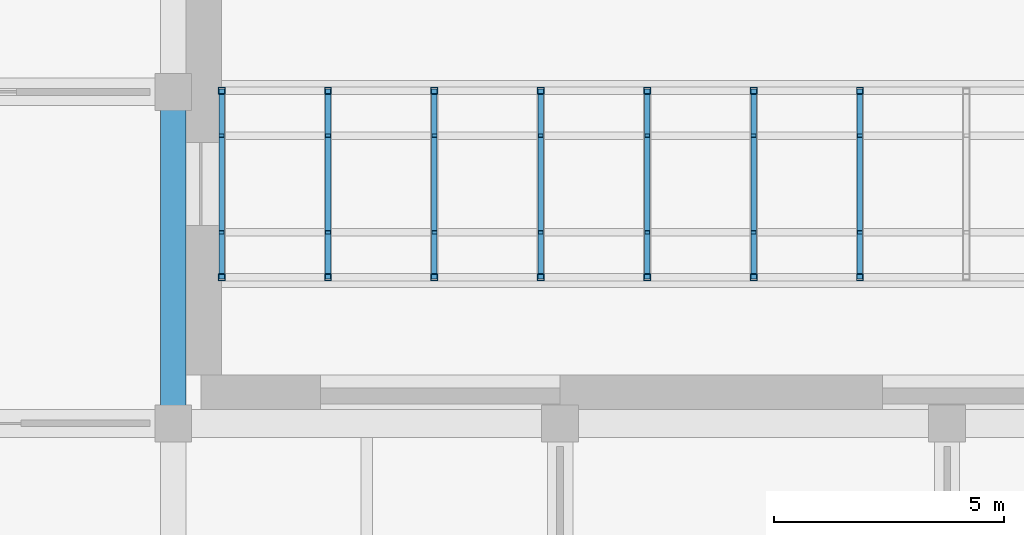
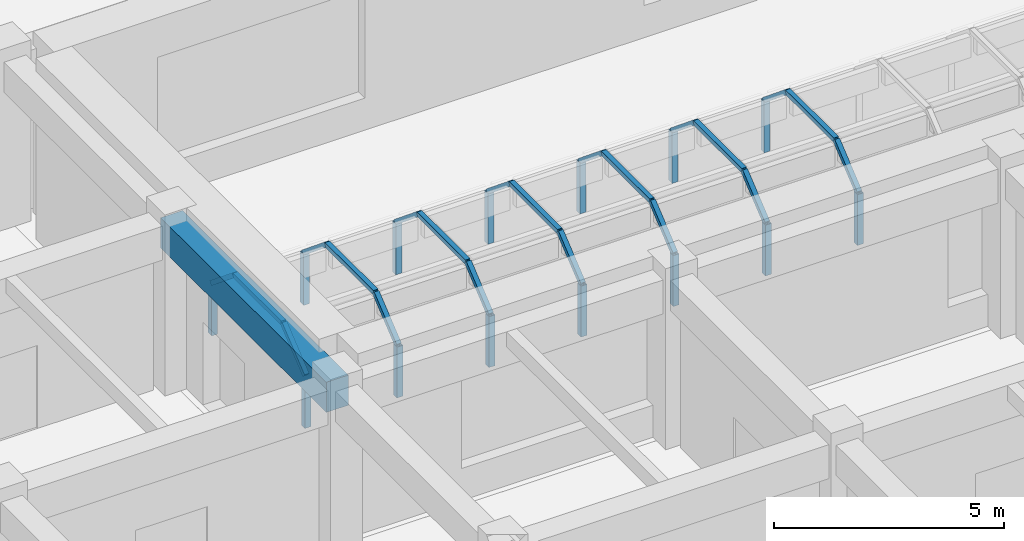
# One storey, part 8 of 32: 35 members, 1 beam.
"""IFC4 building model written with IfcOpenShell, lengths in metres."""

from ifc_helpers import new_model, si_unit, derived_unit, direction, frame, origin, origin_2d, place, context, subcontext, project, spatial, rectangle, hollow_rectangle, extrude, material, material_profile, profile_set, type_object, element, save


model = new_model("IFC4")

# Units and contexts
model_context = context("Model", 3, precision=1e-05, world=origin(), true_north=direction((0.0, 1.0)))
body_context = subcontext(model_context, "Body", "Model", "MODEL_VIEW")
ifc_project = project(units=[si_unit("LENGTHUNIT", "METRE"), si_unit("AREAUNIT", "SQUARE_METRE"), si_unit("VOLUMEUNIT", "CUBIC_METRE"), si_unit("PLANEANGLEUNIT", "RADIAN"), si_unit("MASSUNIT", "GRAM", prefix="KILO"), derived_unit("THERMALTRANSMITTANCEUNIT", [(si_unit("MASSUNIT", "GRAM", prefix="KILO"), 1), (si_unit("TIMEUNIT", "SECOND"), -3), (si_unit("THERMODYNAMICTEMPERATUREUNIT", "KELVIN"), -1)])], contexts=[model_context])

# Site, building, storey
site_placement = place(None, origin())
site = spatial("IfcSite", under=ifc_project, at=site_placement, CompositionType="ELEMENT")
building_placement = place(site_placement, origin())
building = spatial("IfcBuilding", under=site, at=building_placement, Name="Veldstrom Oceanarium and Marine Research Institute", CompositionType="ELEMENT")
storey_placement = place(building_placement, frame((0.0, 0.0, -4.800048828125)))
storey = spatial("IfcBuildingStorey", under=building, at=storey_placement, Name="B01", CompositionType="ELEMENT", Elevation=-4.800048828125)

# Beam
ifc_material_1 = material(Name="Concrete C40/50", Category="concrete")
ifc_material_profile_1 = material_profile(ifc_material_1, rectangle(XDim=0.550048828125, YDim=0.800048828125, at=origin_2d()), Name="RC-BM-550x800")
ifc_profile_set_1 = profile_set([ifc_material_profile_1], Name="Concrete C40/50")
beam_type = type_object("IfcBeamType", Name="STR-BM-B02", PredefinedType="BEAM", material=ifc_profile_set_1)
beam_placement = place(storey_placement, frame((16.800048828125, 21.60009765625, 4.045166015625), z_axis=(0.0, 1.0, 0.0), x_axis=(-1.0, 0.0, 0.0)))
element("IfcBeam", 1, at=beam_placement, inside=storey, type_object=beam_type, Name="Primary Beam B02 B01-0514", PredefinedType="BEAM", context=body_context, shape_type="SweptSolid", body=[
    extrude(rectangle(XDim=0.550048828125, YDim=0.800048828125, at=origin_2d()), origin(), (0.0, 0.0, 1.0), 7.199951171875),
])

# Members
ifc_material_2 = material(Name="Steel S355JR", Category="steel")
ifc_material_profile_2 = material_profile(ifc_material_2, hollow_rectangle(XDim=0.14990234375, YDim=0.14990234375, WallThickness=0.010009765625, at=origin_2d()), Name="SHS 150x150x10")
ifc_profile_set_2 = profile_set([ifc_material_profile_2], Name="Steel S355JR")
member_type_1 = type_object("IfcMemberType", Name="STR-MEM-PS1", PredefinedType="POST", material=ifc_profile_set_2)
for number, where, z_axis, x_axis, name in (
    (2, (17.85009765625, 24.77490234375, 0.900146484375), (0.0, 0.0, 1.0), (1.0, 0.0, 0.0), "Acrylic Tunnel Arch Rib 01-1"),
    (3, (17.85009765625, 28.824951171875, 2.25), (0.0, 0.0, -1.0), (1.0, 0.0, 0.0), "Acrylic Tunnel Arch Rib 01-5"),
    (4, (20.159912109375, 24.77490234375, 0.900146484375), (0.0, 0.0, 1.0), (1.0, 0.0, 0.0), "Acrylic Tunnel Arch Rib 02-1"),
    (5, (20.159912109375, 28.824951171875, 2.25), (0.0, 0.0, -1.0), (1.0, 0.0, 0.0), "Acrylic Tunnel Arch Rib 02-5"),
    (6, (22.469970703125, 24.77490234375, 0.900146484375), (0.0, 0.0, 1.0), (1.0, 0.0, 0.0), "Acrylic Tunnel Arch Rib 03-1"),
    (7, (22.469970703125, 28.824951171875, 2.25), (0.0, 0.0, -1.0), (1.0, 0.0, 0.0), "Acrylic Tunnel Arch Rib 03-5"),
    (8, (24.780029296875, 24.77490234375, 0.900146484375), (0.0, 0.0, 1.0), (1.0, 0.0, 0.0), "Acrylic Tunnel Arch Rib 04-1"),
    (9, (24.780029296875, 28.824951171875, 2.25), (0.0, 0.0, -1.0), (1.0, 0.0, 0.0), "Acrylic Tunnel Arch Rib 04-5"),
    (10, (27.090087890625, 24.77490234375, 0.900146484375), (0.0, 0.0, 1.0), (1.0, 0.0, 0.0), "Acrylic Tunnel Arch Rib 05-1"),
    (11, (27.090087890625, 28.824951171875, 2.25), (0.0, 0.0, -1.0), (1.0, 0.0, 0.0), "Acrylic Tunnel Arch Rib 05-5"),
    (12, (29.39990234375, 24.77490234375, 0.900146484375), (0.0, 0.0, 1.0), (1.0, 0.0, 0.0), "Acrylic Tunnel Arch Rib 06-1"),
    (13, (29.39990234375, 28.824951171875, 2.25), (0.0, 0.0, -1.0), (1.0, 0.0, 0.0), "Acrylic Tunnel Arch Rib 06-5"),
    (14, (31.7099609375, 24.77490234375, 0.900146484375), (0.0, 0.0, 1.0), (1.0, 0.0, 0.0), "Acrylic Tunnel Arch Rib 07-1"),
    (15, (31.7099609375, 28.824951171875, 2.25), (0.0, 0.0, -1.0), (1.0, 0.0, 0.0), "Acrylic Tunnel Arch Rib 07-5"),
):
    element("IfcMember", number, at=place(storey_placement, frame(where, z_axis=z_axis, x_axis=x_axis)), inside=storey, type_object=member_type_1, Name=name, PredefinedType="POST", context=body_context, shape_type="SweptSolid", body=[
        extrude(hollow_rectangle(XDim=0.14990234375, YDim=0.14990234375, WallThickness=0.010009765625, at=origin_2d()), origin(), (0.0, 0.0, 1.0), 1.349853515625),
    ])
ifc_material_3 = material(Name="Steel S355JR", Category="steel")
ifc_material_profile_3 = material_profile(ifc_material_3, hollow_rectangle(XDim=0.1201171875, YDim=0.1201171875, WallThickness=0.008056640625, at=origin_2d()), Name="SHS 120x120x8")
ifc_profile_set_3 = profile_set([ifc_material_profile_3], Name="Steel S355JR")
member_type_2 = type_object("IfcMemberType", Name="STR-MEM-RF1", PredefinedType="RAFTER", material=ifc_profile_set_3)
member_1_placement = place(storey_placement, frame((17.85009765625, 24.77490234375, 2.25), z_axis=(0.0, 0.773085539251, 0.634301780702), x_axis=(-1.0, 0.0, 0.0)))
element("IfcMember", 16, at=member_1_placement, inside=storey, type_object=member_type_2, Name="Acrylic Tunnel Arch Rib 01-2", PredefinedType="RAFTER", context=body_context, shape_type="SweptSolid", body=[
    extrude(hollow_rectangle(XDim=0.1201171875, YDim=0.1201171875, WallThickness=0.008056640625, at=origin_2d()), origin(), (0.0, 0.0, 1.0), 1.26123046875),
])
member_2_placement = place(storey_placement, frame((17.85009765625, 25.75, 3.050048828125), z_axis=(0.0, 1.0, 0.0), x_axis=(-1.0, 0.0, 0.0)))
element("IfcMember", 17, at=member_2_placement, inside=storey, type_object=member_type_2, Name="Acrylic Tunnel Arch Rib 01-3", PredefinedType="RAFTER", context=body_context, shape_type="SweptSolid", body=[
    extrude(hollow_rectangle(XDim=0.1201171875, YDim=0.1201171875, WallThickness=0.008056640625, at=origin_2d()), origin(), (0.0, 0.0, 1.0), 2.10009765625),
])
for number, where, z_axis, x_axis, name in (
    (18, (17.85009765625, 27.85009765625, 3.050048828125), (0.0, 0.773007644384, -0.634396706899), (-1.0, 0.0, 0.0), "Acrylic Tunnel Arch Rib 01-4"),
    (19, (20.159912109375, 24.77490234375, 2.25), (0.0, 0.773085539251, 0.634301780702), (-1.0, 0.0, 0.0), "Acrylic Tunnel Arch Rib 02-2"),
):
    element("IfcMember", number, at=place(storey_placement, frame(where, z_axis=z_axis, x_axis=x_axis)), inside=storey, type_object=member_type_2, Name=name, PredefinedType="RAFTER", context=body_context, shape_type="SweptSolid", body=[
        extrude(hollow_rectangle(XDim=0.1201171875, YDim=0.1201171875, WallThickness=0.008056640625, at=origin_2d()), origin(), (0.0, 0.0, 1.0), 1.26123046875),
    ])
member_3_placement = place(storey_placement, frame((20.159912109375, 25.75, 3.050048828125), z_axis=(0.0, 1.0, 0.0), x_axis=(-1.0, 0.0, 0.0)))
element("IfcMember", 20, at=member_3_placement, inside=storey, type_object=member_type_2, Name="Acrylic Tunnel Arch Rib 02-3", PredefinedType="RAFTER", context=body_context, shape_type="SweptSolid", body=[
    extrude(hollow_rectangle(XDim=0.1201171875, YDim=0.1201171875, WallThickness=0.008056640625, at=origin_2d()), origin(), (0.0, 0.0, 1.0), 2.10009765625),
])
for number, where, z_axis, x_axis, name in (
    (21, (20.159912109375, 27.85009765625, 3.050048828125), (0.0, 0.773007644384, -0.634396706899), (-1.0, 0.0, 0.0), "Acrylic Tunnel Arch Rib 02-4"),
    (22, (22.469970703125, 24.77490234375, 2.25), (0.0, 0.773085539251, 0.634301780702), (-1.0, 0.0, 0.0), "Acrylic Tunnel Arch Rib 03-2"),
):
    element("IfcMember", number, at=place(storey_placement, frame(where, z_axis=z_axis, x_axis=x_axis)), inside=storey, type_object=member_type_2, Name=name, PredefinedType="RAFTER", context=body_context, shape_type="SweptSolid", body=[
        extrude(hollow_rectangle(XDim=0.1201171875, YDim=0.1201171875, WallThickness=0.008056640625, at=origin_2d()), origin(), (0.0, 0.0, 1.0), 1.26123046875),
    ])
member_4_placement = place(storey_placement, frame((22.469970703125, 25.75, 3.050048828125), z_axis=(0.0, 1.0, 0.0), x_axis=(-1.0, 0.0, 0.0)))
element("IfcMember", 23, at=member_4_placement, inside=storey, type_object=member_type_2, Name="Acrylic Tunnel Arch Rib 03-3", PredefinedType="RAFTER", context=body_context, shape_type="SweptSolid", body=[
    extrude(hollow_rectangle(XDim=0.1201171875, YDim=0.1201171875, WallThickness=0.008056640625, at=origin_2d()), origin(), (0.0, 0.0, 1.0), 2.10009765625),
])
for number, where, z_axis, x_axis, name in (
    (24, (22.469970703125, 27.85009765625, 3.050048828125), (0.0, 0.773007644384, -0.634396706899), (-1.0, 0.0, 0.0), "Acrylic Tunnel Arch Rib 03-4"),
    (25, (24.780029296875, 24.77490234375, 2.25), (0.0, 0.773085539251, 0.634301780702), (-1.0, 0.0, 0.0), "Acrylic Tunnel Arch Rib 04-2"),
):
    element("IfcMember", number, at=place(storey_placement, frame(where, z_axis=z_axis, x_axis=x_axis)), inside=storey, type_object=member_type_2, Name=name, PredefinedType="RAFTER", context=body_context, shape_type="SweptSolid", body=[
        extrude(hollow_rectangle(XDim=0.1201171875, YDim=0.1201171875, WallThickness=0.008056640625, at=origin_2d()), origin(), (0.0, 0.0, 1.0), 1.26123046875),
    ])
member_5_placement = place(storey_placement, frame((24.780029296875, 25.75, 3.050048828125), z_axis=(0.0, 1.0, 0.0), x_axis=(-1.0, 0.0, 0.0)))
element("IfcMember", 26, at=member_5_placement, inside=storey, type_object=member_type_2, Name="Acrylic Tunnel Arch Rib 04-3", PredefinedType="RAFTER", context=body_context, shape_type="SweptSolid", body=[
    extrude(hollow_rectangle(XDim=0.1201171875, YDim=0.1201171875, WallThickness=0.008056640625, at=origin_2d()), origin(), (0.0, 0.0, 1.0), 2.10009765625),
])
for number, where, z_axis, x_axis, name in (
    (27, (24.780029296875, 27.85009765625, 3.050048828125), (0.0, 0.773007644384, -0.634396706899), (-1.0, 0.0, 0.0), "Acrylic Tunnel Arch Rib 04-4"),
    (28, (27.090087890625, 24.77490234375, 2.25), (0.0, 0.773085539251, 0.634301780702), (-1.0, 0.0, 0.0), "Acrylic Tunnel Arch Rib 05-2"),
):
    element("IfcMember", number, at=place(storey_placement, frame(where, z_axis=z_axis, x_axis=x_axis)), inside=storey, type_object=member_type_2, Name=name, PredefinedType="RAFTER", context=body_context, shape_type="SweptSolid", body=[
        extrude(hollow_rectangle(XDim=0.1201171875, YDim=0.1201171875, WallThickness=0.008056640625, at=origin_2d()), origin(), (0.0, 0.0, 1.0), 1.26123046875),
    ])
member_6_placement = place(storey_placement, frame((27.090087890625, 25.75, 3.050048828125), z_axis=(0.0, 1.0, 0.0), x_axis=(-1.0, 0.0, 0.0)))
element("IfcMember", 29, at=member_6_placement, inside=storey, type_object=member_type_2, Name="Acrylic Tunnel Arch Rib 05-3", PredefinedType="RAFTER", context=body_context, shape_type="SweptSolid", body=[
    extrude(hollow_rectangle(XDim=0.1201171875, YDim=0.1201171875, WallThickness=0.008056640625, at=origin_2d()), origin(), (0.0, 0.0, 1.0), 2.10009765625),
])
for number, where, z_axis, x_axis, name in (
    (30, (27.090087890625, 27.85009765625, 3.050048828125), (0.0, 0.773007644384, -0.634396706899), (-1.0, 0.0, 0.0), "Acrylic Tunnel Arch Rib 05-4"),
    (31, (29.39990234375, 24.77490234375, 2.25), (0.0, 0.773085539251, 0.634301780702), (-1.0, 0.0, 0.0), "Acrylic Tunnel Arch Rib 06-2"),
):
    element("IfcMember", number, at=place(storey_placement, frame(where, z_axis=z_axis, x_axis=x_axis)), inside=storey, type_object=member_type_2, Name=name, PredefinedType="RAFTER", context=body_context, shape_type="SweptSolid", body=[
        extrude(hollow_rectangle(XDim=0.1201171875, YDim=0.1201171875, WallThickness=0.008056640625, at=origin_2d()), origin(), (0.0, 0.0, 1.0), 1.26123046875),
    ])
member_7_placement = place(storey_placement, frame((29.39990234375, 25.75, 3.050048828125), z_axis=(0.0, 1.0, 0.0), x_axis=(-1.0, 0.0, 0.0)))
element("IfcMember", 32, at=member_7_placement, inside=storey, type_object=member_type_2, Name="Acrylic Tunnel Arch Rib 06-3", PredefinedType="RAFTER", context=body_context, shape_type="SweptSolid", body=[
    extrude(hollow_rectangle(XDim=0.1201171875, YDim=0.1201171875, WallThickness=0.008056640625, at=origin_2d()), origin(), (0.0, 0.0, 1.0), 2.10009765625),
])
for number, where, z_axis, x_axis, name in (
    (33, (29.39990234375, 27.85009765625, 3.050048828125), (0.0, 0.773007644384, -0.634396706899), (-1.0, 0.0, 0.0), "Acrylic Tunnel Arch Rib 06-4"),
    (34, (31.7099609375, 24.77490234375, 2.25), (0.0, 0.773085539251, 0.634301780702), (-1.0, 0.0, 0.0), "Acrylic Tunnel Arch Rib 07-2"),
):
    element("IfcMember", number, at=place(storey_placement, frame(where, z_axis=z_axis, x_axis=x_axis)), inside=storey, type_object=member_type_2, Name=name, PredefinedType="RAFTER", context=body_context, shape_type="SweptSolid", body=[
        extrude(hollow_rectangle(XDim=0.1201171875, YDim=0.1201171875, WallThickness=0.008056640625, at=origin_2d()), origin(), (0.0, 0.0, 1.0), 1.26123046875),
    ])
member_8_placement = place(storey_placement, frame((31.7099609375, 25.75, 3.050048828125), z_axis=(0.0, 1.0, 0.0), x_axis=(-1.0, 0.0, 0.0)))
element("IfcMember", 35, at=member_8_placement, inside=storey, type_object=member_type_2, Name="Acrylic Tunnel Arch Rib 07-3", PredefinedType="RAFTER", context=body_context, shape_type="SweptSolid", body=[
    extrude(hollow_rectangle(XDim=0.1201171875, YDim=0.1201171875, WallThickness=0.008056640625, at=origin_2d()), origin(), (0.0, 0.0, 1.0), 2.10009765625),
])
member_9_placement = place(storey_placement, frame((31.7099609375, 27.85009765625, 3.050048828125), z_axis=(0.0, 0.773007644384, -0.634396706899), x_axis=(-1.0, 0.0, 0.0)))
element("IfcMember", 36, at=member_9_placement, inside=storey, type_object=member_type_2, Name="Acrylic Tunnel Arch Rib 07-4", PredefinedType="RAFTER", context=body_context, shape_type="SweptSolid", body=[
    extrude(hollow_rectangle(XDim=0.1201171875, YDim=0.1201171875, WallThickness=0.008056640625, at=origin_2d()), origin(), (0.0, 0.0, 1.0), 1.26123046875),
])

save(model, "model.ifc")
